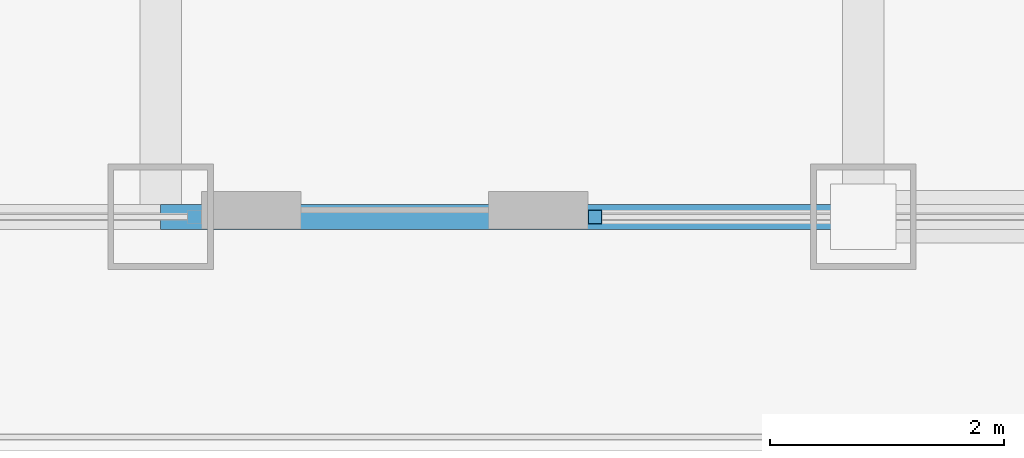
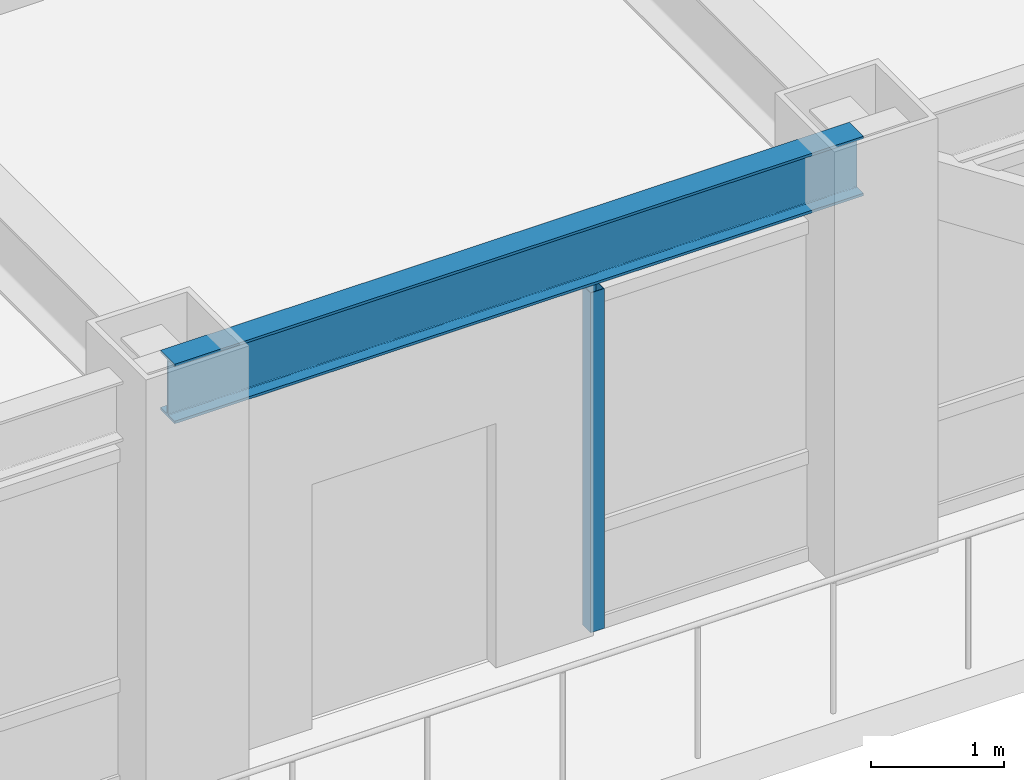
# One storey, part 5 of 32: 1 beam, 1 member, 1 element without a shape of its own.
"""IFC4 building model written with IfcOpenShell, lengths in metres."""

from ifc_helpers import new_model, si_unit, direction, frame, origin, origin_2d, place, context, subcontext, project, spatial, hollow_rectangle, i_section, extrude, source, transform, mapped, material, material_profile, profile_set, type_object, element, aggregate, save


model = new_model("IFC4")

# Units and contexts
model_context = context("Model", 3, precision=1e-05, world=origin(), true_north=direction((0.0, 1.0)))
body_context = subcontext(model_context, "Body", "Model", "MODEL_VIEW")
ifc_project = project(units=[si_unit("LENGTHUNIT", "METRE"), si_unit("AREAUNIT", "SQUARE_METRE"), si_unit("VOLUMEUNIT", "CUBIC_METRE"), si_unit("PLANEANGLEUNIT", "RADIAN"), si_unit("MASSUNIT", "GRAM", prefix="KILO")], contexts=[model_context])

# Site, building, storey
site_placement = place(None, origin())
site = spatial("IfcSite", under=ifc_project, at=site_placement, CompositionType="ELEMENT")
building_placement = place(site_placement, origin())
building = spatial("IfcBuilding", under=site, at=building_placement, Name="Khorayat Bourse Tower", CompositionType="ELEMENT")
storey_placement = place(building_placement, frame((0.0, 0.0, 273.5)))
storey = spatial("IfcBuildingStorey", under=building, at=storey_placement, Name="L64", CompositionType="ELEMENT", Elevation=273.5)

# Beam
ifc_material_1 = material(Name="Steel ASTM A992 Grade 50", Category="steel")
ifc_material_profile_1 = material_profile(ifc_material_1, i_section(OverallWidth=0.214111328125, OverallDepth=0.549072265625, WebThickness=0.0146484375, FlangeThickness=0.023681640625, FilletRadius=0.013916015625, at=origin_2d()), Name="W530X138")
ifc_profile_set_1 = profile_set([ifc_material_profile_1], Name="Steel ASTM A992 Grade 50")
beam_type = type_object("IfcBeamType", Name="BM-SPAN-530", PredefinedType="SPANDREL", material=ifc_profile_set_1)
shared_shape_1 = source(origin(), body_context, "Body", "SweptSolid", [
    extrude(i_section(OverallWidth=0.214111328125, OverallDepth=0.549072265625, WebThickness=0.0146484375, FlangeThickness=0.023681640625, FilletRadius=0.013916015625, at=origin_2d()), origin(), (0.0, 0.0, 1.0), 6.0),
])
beam_placement = place(storey_placement, frame((0.0, -28.0, 3.505615234375), z_axis=(1.0, 0.0, 0.0), x_axis=(0.0, 1.0, 0.0)))
element("IfcBeam", 1, at=beam_placement, inside=storey, type_object=beam_type, Name="L64 BM-SPAN-530 BM-L64-SPN-028", PredefinedType="SPANDREL", context=body_context, shape_type="MappedRepresentation", body=[
    mapped(shared_shape_1, transform((0.0, 0.0, 0.0), scale=1.0)),
])

# Curtain wall, member
ifc_material_2 = material(Name="Aluminium EN AW-6063 T6", Category="aluminium")
curtain_wall_type = type_object("IfcCurtainWallType", Name="CW-SYS-04", PredefinedType="NOTDEFINED", material=ifc_material_2)
curtain_wall_placement = place(storey_placement, origin())
curtain_wall = element("IfcCurtainWall", 2, at=curtain_wall_placement, inside=storey, type_object=curtain_wall_type, Name="L64 Curtain Wall CW-L64-S2", PredefinedType="NOTDEFINED")
ifc_material_profile_2 = material_profile(ifc_material_2, hollow_rectangle(XDim=0.1201171875, YDim=0.1201171875, WallThickness=0.0048828125, at=origin_2d()), Name="ALU 120x120x5")
ifc_profile_set_2 = profile_set([ifc_material_profile_2], Name="Aluminium EN AW-6063 T6")
member_type = type_object("IfcMemberType", Name="CWM-VERT-120", PredefinedType="MULLION", material=ifc_profile_set_2)
shared_shape_2 = source(origin(), body_context, "Body", "SweptSolid", [
    extrude(hollow_rectangle(XDim=0.1201171875, YDim=0.1201171875, WallThickness=0.0048828125, at=origin_2d()), origin(), (0.0, 0.0, 1.0), 3.1298828125),
])
member_placement = place(storey_placement, frame((3.7099609375, -28.0, 0.0), z_axis=(0.0, 0.0, 1.0), x_axis=(0.0, 1.0, 0.0)))
member = element("IfcMember", 3, at=member_placement, type_object=member_type, Name="CW-L64-S2 Vertical Mullion 1", PredefinedType="MULLION", context=body_context, shape_type="MappedRepresentation", body=[
    mapped(shared_shape_2, transform((0.0, 0.0, 0.0), scale=1.0)),
])
aggregate(curtain_wall, [member])

save(model, "model.ifc")
